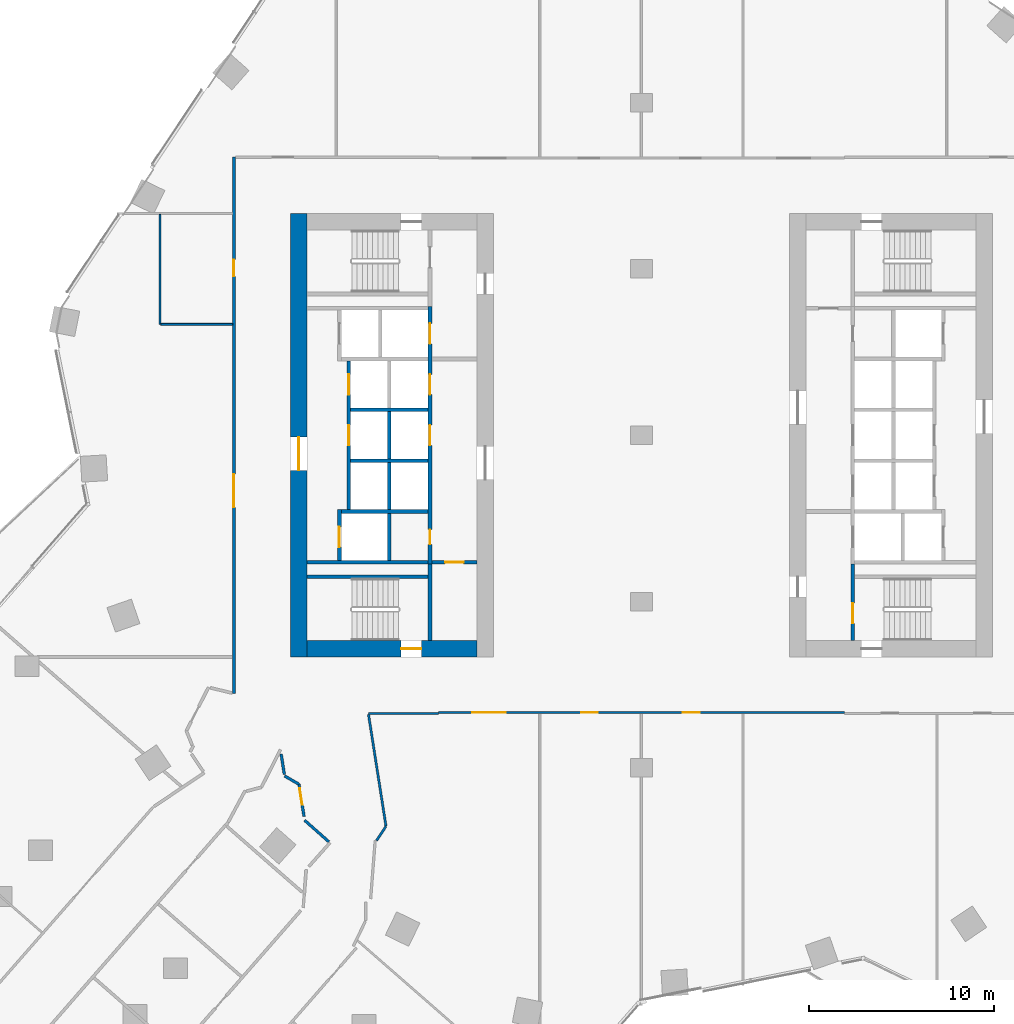
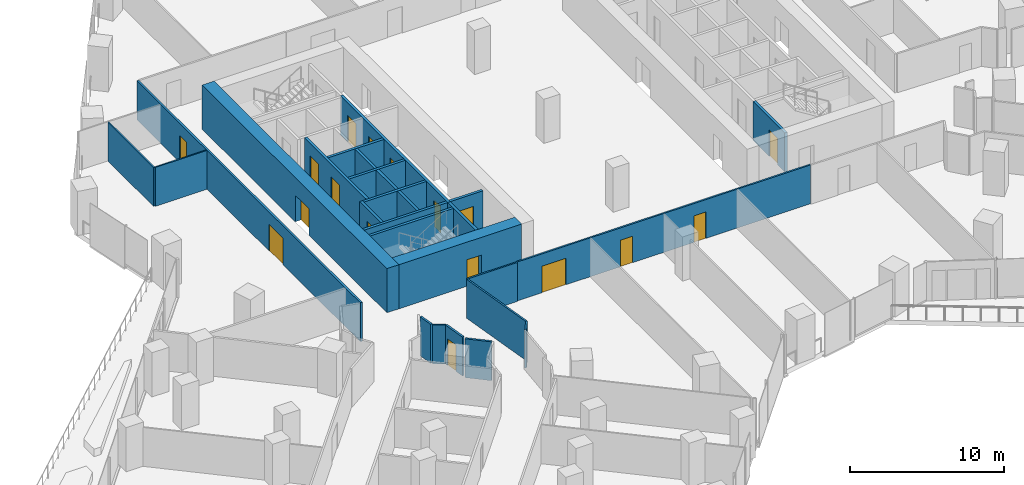
# One storey, part 23 of 32: 27 walls, 17 doors, 17 openings.
"""IFC4 building model written with IfcOpenShell, lengths in metres."""

from ifc_helpers import new_model, si_unit, direction, frame, frame_2d, origin, place, context, subcontext, project, spatial, rectangle, extrude, material, layer, layer_set, type_object, element, fill, save


model = new_model("IFC4")

# Units and contexts
model_context = context("Model", 3, precision=1e-05, world=origin(), true_north=direction((0.0, 1.0)))
body_context = subcontext(model_context, "Body", "Model", "MODEL_VIEW")
ifc_project = project(units=[si_unit("LENGTHUNIT", "METRE"), si_unit("AREAUNIT", "SQUARE_METRE"), si_unit("VOLUMEUNIT", "CUBIC_METRE"), si_unit("PLANEANGLEUNIT", "RADIAN"), si_unit("MASSUNIT", "GRAM", prefix="KILO")], contexts=[model_context])

# Site, building, storey
site_placement = place(None, origin())
site = spatial("IfcSite", under=ifc_project, at=site_placement, CompositionType="ELEMENT")
building_placement = place(site_placement, origin())
building = spatial("IfcBuilding", under=site, at=building_placement, Name="Orlundy Tower", CompositionType="ELEMENT")
storey_placement = place(building_placement, frame((0.0, 0.0, 58.800048828125)))
storey = spatial("IfcBuildingStorey", under=building, at=storey_placement, Name="L13", CompositionType="ELEMENT", Elevation=58.800048828125)

# Wall, opening, door
ifc_material_1 = material(Name="Concrete C80/95", Category="concrete")
ifc_layer_1 = layer(ifc_material_1, 0.89990234375)
ifc_layer_set_1 = layer_set([ifc_layer_1], Name="CORE WALL 900 C80/95")
wall_type_1 = type_object("IfcWallType", Name="CORE WALL 900 C80/95", PredefinedType="SHEAR", material=ifc_layer_set_1)
wall_1_placement = place(storey_placement, frame((-18.10009765625, -11.550048828125, 0.0), z_axis=(0.0, 0.0, 1.0), x_axis=(1.0, 0.0, 0.0)))
wall_1 = element("IfcWall", 1, at=wall_1_placement, inside=storey, type_object=wall_type_1, Name="Core wall W-S L13", PredefinedType="SHEAR", context=body_context, shape_type="SweptSolid", body=[
    extrude(rectangle(XDim=9.2001953125, YDim=0.89990234375, at=frame_2d((4.60009765625, 0.0))), origin(), (0.0, 0.0, 1.0), 3.5),
])
opening_1_placement = place(wall_1_placement, frame((5.10009765625, 0.0, 0.0)))
opening_1 = element("IfcOpeningElement", 2, at=opening_1_placement, cuts=wall_1, Name="Opening 12013", PredefinedType="OPENING", context=body_context, shape_type="SweptSolid", body=[
    extrude(rectangle(XDim=1.10009765625, YDim=2.10009765625, at=frame_2d((0.550048828125, 1.050048828125))), frame((0.0, 0.4599609375, 0.0), z_axis=(0.0, -1.0, 0.0), x_axis=(1.0, 0.0, 0.0)), (0.0, 0.0, 1.0), 0.919921875),
])
ifc_material_2 = material(Name="Steel door set", Category="steel")
door_type_1 = type_object("IfcDoorType", Name="Stair Door 1100x2100", OperationType="SINGLE_SWING_LEFT", PredefinedType="DOOR", material=ifc_material_2)
door_1_placement = place(opening_1_placement, origin())
door_1 = element("IfcDoor", 3, at=door_1_placement, inside=storey, type_object=door_type_1, Name="Stair door 12013", OperationType="SINGLE_SWING_RIGHT", OverallHeight=2.10009765625, OverallWidth=1.10009765625, PredefinedType="DOOR", context=body_context, shape_type="SweptSolid", body=[
    extrude(rectangle(XDim=1.10009765625, YDim=2.10009765625, at=frame_2d((0.550048828125, 1.050048828125))), frame((0.0, 0.02490234375, 0.0), z_axis=(0.0, -1.0, 0.0), x_axis=(1.0, 0.0, 0.0)), (0.0, 0.0, 1.0), 0.050048828125),
])
fill(opening_1, door_1)

wall_2_placement = place(storey_placement, frame((-18.550048828125, -12.0, 0.0), z_axis=(0.0, 0.0, 1.0), x_axis=(0.0, 1.0, 0.0)))
wall_2 = element("IfcWall", 4, at=wall_2_placement, inside=storey, type_object=wall_type_1, Name="Core wall W-W L13", PredefinedType="SHEAR", context=body_context, shape_type="SweptSolid", body=[
    extrude(rectangle(XDim=24.0, YDim=0.89990234375, at=frame_2d((12.0, 0.0))), origin(), (0.0, 0.0, 1.0), 3.5),
])
opening_2_placement = place(wall_2_placement, frame((10.10009765625, 0.0, 0.0)))
opening_2 = element("IfcOpeningElement", 5, at=opening_2_placement, cuts=wall_2, Name="Opening 12010", PredefinedType="OPENING", context=body_context, shape_type="SweptSolid", body=[
    extrude(rectangle(XDim=1.800048828125, YDim=2.10009765625, at=frame_2d((0.89990234375, 1.050048828125))), frame((0.0, 0.4599609375, 0.0), z_axis=(0.0, -1.0, 0.0), x_axis=(1.0, 0.0, 0.0)), (0.0, 0.0, 1.0), 0.919921875),
])
ifc_material_3 = material(Name="Timber door set", Category="wood")
door_type_2 = type_object("IfcDoorType", Name="Lobby Door 1800x2100", OperationType="DOUBLE_DOOR_DOUBLE_SWING", PredefinedType="DOOR", material=ifc_material_3)
door_2_placement = place(opening_2_placement, origin())
door_2 = element("IfcDoor", 6, at=door_2_placement, inside=storey, type_object=door_type_2, Name="Lift lobby door 12010", OperationType="SINGLE_SWING_LEFT", OverallHeight=2.10009765625, OverallWidth=1.800048828125, PredefinedType="DOOR", context=body_context, shape_type="SweptSolid", body=[
    extrude(rectangle(XDim=1.800048828125, YDim=2.10009765625, at=frame_2d((0.89990234375, 1.050048828125))), frame((0.0, 0.02490234375, 0.0), z_axis=(0.0, -1.0, 0.0), x_axis=(1.0, 0.0, 0.0)), (0.0, 0.0, 1.0), 0.050048828125),
])
fill(opening_2, door_2)

# Walls
ifc_material_4 = material(Name="Gypsum board partition")
ifc_layer_2 = layer(ifc_material_4, 0.10009765625)
ifc_layer_set_2 = layer_set([ifc_layer_2], Name="Floor partition 100")
wall_type_2 = type_object("IfcWallType", Name="Floor partition 100", PredefinedType="PARTITIONING", material=ifc_layer_set_2)
wall_3_placement = place(storey_placement, frame((-25.998046875, 6.0009765625, 0.0), z_axis=(0.0, 0.0, 1.0), x_axis=(1.0, 0.0, 0.0)))
element("IfcWall", 7, at=wall_3_placement, inside=storey, type_object=wall_type_2, Name="wall-int-L13-054", PredefinedType="PARTITIONING", context=body_context, shape_type="SweptSolid", body=[
    extrude(rectangle(XDim=3.873046875, YDim=0.10009765625, at=frame_2d((1.9365234375, 0.0))), origin(), (0.0, 0.0, 1.0), 3.079833984375),
])
wall_4_placement = place(storey_placement, frame((-26.048095703125, 6.0009765625, 0.0), z_axis=(0.0, 0.0, 1.0), x_axis=(0.0, 1.0, 0.0)))
element("IfcWall", 8, at=wall_4_placement, inside=storey, type_object=wall_type_2, Name="wall-int-L13-111", PredefinedType="PARTITIONING", context=body_context, shape_type="SweptSolid", body=[
    extrude(rectangle(XDim=5.948974609375, YDim=0.10009765625, at=frame_2d((2.974609375, 0.0))), origin(), (0.0, 0.0, 1.0), 3.079833984375),
])
ifc_material_5 = material(Name="Gypsum board partition, double layer")
ifc_layer_3 = layer(ifc_material_5, 0.125)
ifc_layer_set_3 = layer_set([ifc_layer_3], Name="Floor partition 125")
wall_type_3 = type_object("IfcWallType", Name="Floor partition 125", PredefinedType="PARTITIONING", material=ifc_layer_set_3)
wall_5_placement = place(storey_placement, frame((-14.76611328125, -15.113037109375, 0.0), z_axis=(0.0, 0.0, 1.0), x_axis=(0.154488884016, -0.987994526663, 0.0)))
element("IfcWall", 9, at=wall_5_placement, inside=storey, type_object=wall_type_3, Name="wall-int-L13-003", PredefinedType="PARTITIONING", context=body_context, shape_type="SweptSolid", body=[
    extrude(rectangle(XDim=6.117431640625, YDim=0.125, at=frame_2d((3.05859375, 0.0))), origin(), (0.0, 0.0, 1.0), 3.079833984375),
])
wall_6_placement = place(storey_placement, frame((-14.77587890625, -15.051025390625, 0.0), z_axis=(0.0, 0.0, 1.0), x_axis=(1.0, 0.0, 0.0)))
element("IfcWall", 10, at=wall_6_placement, inside=storey, type_object=wall_type_3, Name="wall-int-L13-048", PredefinedType="PARTITIONING", context=body_context, shape_type="SweptSolid", body=[
    extrude(rectangle(XDim=3.784912109375, YDim=0.125, at=frame_2d((1.892578125, 0.0))), origin(), (0.0, 0.0, 1.0), 3.079833984375),
])

# Wall, openings, doors
wall_7_placement = place(storey_placement, frame((10.989990234375, -15.0009765625, 0.0), z_axis=(0.0, 0.0, 1.0), x_axis=(-1.0, 0.0, 0.0)))
wall_7 = element("IfcWall", 11, at=wall_7_placement, inside=storey, type_object=wall_type_3, Name="wall-int-L13-050", PredefinedType="PARTITIONING", context=body_context, shape_type="SweptSolid", body=[
    extrude(rectangle(XDim=21.97998046875, YDim=0.125, at=frame_2d((10.989990234375, 0.0))), origin(), (0.0, 0.0, 1.0), 3.079833984375),
])
opening_3_placement = place(wall_7_placement, frame((18.333984375, 0.0, 0.0)))
opening_3 = element("IfcOpeningElement", 12, at=opening_3_placement, cuts=wall_7, Name="Opening 12121", PredefinedType="OPENING", context=body_context, shape_type="SweptSolid", body=[
    extrude(rectangle(XDim=1.800048828125, YDim=2.10009765625, at=frame_2d((0.89990234375, 1.050048828125))), frame((0.0, 0.072509765625, 0.0), z_axis=(0.0, -1.0, 0.0), x_axis=(1.0, 0.0, 0.0)), (0.0, 0.0, 1.0), 0.14501953125),
])
opening_4_placement = place(wall_7_placement, frame((13.340087890625, 0.0, 0.0)))
opening_4 = element("IfcOpeningElement", 13, at=opening_4_placement, cuts=wall_7, Name="Opening 12122", PredefinedType="OPENING", context=body_context, shape_type="SweptSolid", body=[
    extrude(rectangle(XDim=0.89990234375, YDim=2.10009765625, at=frame_2d((0.449951171875, 1.050048828125))), frame((0.0, 0.072509765625, 0.0), z_axis=(0.0, -1.0, 0.0), x_axis=(1.0, 0.0, 0.0)), (0.0, 0.0, 1.0), 0.14501953125),
])
opening_5_placement = place(wall_7_placement, frame((7.843994140625, 0.0, 0.0)))
opening_5 = element("IfcOpeningElement", 14, at=opening_5_placement, cuts=wall_7, Name="Opening 12123", PredefinedType="OPENING", context=body_context, shape_type="SweptSolid", body=[
    extrude(rectangle(XDim=0.89990234375, YDim=2.10009765625, at=frame_2d((0.449951171875, 1.050048828125))), frame((0.0, 0.072509765625, 0.0), z_axis=(0.0, -1.0, 0.0), x_axis=(1.0, 0.0, 0.0)), (0.0, 0.0, 1.0), 0.14501953125),
])
ifc_material_6 = material(Name="Timber door leaf", Category="wood")
door_type_3 = type_object("IfcDoorType", Name="Floor door double 1800 FD30S", OperationType="NOTDEFINED", PredefinedType="DOOR", material=ifc_material_6)
door_3_placement = place(opening_3_placement, origin())
door_3 = element("IfcDoor", 15, at=door_3_placement, inside=storey, type_object=door_type_3, Name="Door 12121", OperationType="DOUBLE_DOOR_SINGLE_SWING", OverallHeight=2.10009765625, OverallWidth=1.800048828125, PredefinedType="DOOR", context=body_context, shape_type="SweptSolid", body=[
    extrude(rectangle(XDim=1.800048828125, YDim=2.10009765625, at=frame_2d((0.89990234375, 1.050048828125))), frame((0.0, 0.02490234375, 0.0), z_axis=(0.0, -1.0, 0.0), x_axis=(1.0, 0.0, 0.0)), (0.0, 0.0, 1.0), 0.050048828125),
])
fill(opening_3, door_3)
ifc_material_7 = material(Name="Timber door leaf", Category="wood")
door_type_4 = type_object("IfcDoorType", Name="Floor door single 900 FD30S", OperationType="NOTDEFINED", PredefinedType="DOOR", material=ifc_material_7)
door_4_placement = place(opening_4_placement, origin())
door_4 = element("IfcDoor", 16, at=door_4_placement, inside=storey, type_object=door_type_4, Name="Door 12122", OperationType="SINGLE_SWING_RIGHT", OverallHeight=2.10009765625, OverallWidth=0.89990234375, PredefinedType="DOOR", context=body_context, shape_type="SweptSolid", body=[
    extrude(rectangle(XDim=0.89990234375, YDim=2.10009765625, at=frame_2d((0.449951171875, 1.050048828125))), frame((0.0, 0.02490234375, 0.0), z_axis=(0.0, -1.0, 0.0), x_axis=(1.0, 0.0, 0.0)), (0.0, 0.0, 1.0), 0.050048828125),
])
fill(opening_4, door_4)
door_5_placement = place(opening_5_placement, origin())
door_5 = element("IfcDoor", 17, at=door_5_placement, inside=storey, type_object=door_type_4, Name="Door 12123", OperationType="SINGLE_SWING_LEFT", OverallHeight=2.10009765625, OverallWidth=0.89990234375, PredefinedType="DOOR", context=body_context, shape_type="SweptSolid", body=[
    extrude(rectangle(XDim=0.89990234375, YDim=2.10009765625, at=frame_2d((0.449951171875, 1.050048828125))), frame((0.0, 0.02490234375, 0.0), z_axis=(0.0, -1.0, 0.0), x_axis=(1.0, 0.0, 0.0)), (0.0, 0.0, 1.0), 0.050048828125),
])
fill(opening_5, door_5)

# Walls
wall_8_placement = place(storey_placement, frame((-14.330078125, -21.927001953125, 0.0), z_axis=(0.0, 0.0, 1.0), x_axis=(0.551461091015, 0.834200614418, 0.0)))
element("IfcWall", 18, at=wall_8_placement, inside=storey, type_object=wall_type_3, Name="wall-int-L13-060", PredefinedType="PARTITIONING", context=body_context, shape_type="SweptSolid", body=[
    extrude(rectangle(XDim=0.923095703125, YDim=0.125, at=frame_2d((0.46142578125, 0.0))), origin(), (0.0, 0.0, 1.0), 3.079833984375),
])
ifc_material_8 = material(Name="Blockwork shaft wall", Category="masonry")
ifc_layer_4 = layer(ifc_material_8, 0.14990234375)
ifc_layer_set_4 = layer_set([ifc_layer_4], Name="Floor shaft wall 150")
wall_type_4 = type_object("IfcWallType", Name="Floor shaft wall 150", PredefinedType="PARTITIONING", material=ifc_layer_set_4)
wall_9_placement = place(storey_placement, frame((-19.4951171875, -17.242919921875, 0.0), z_axis=(0.0, 0.0, 1.0), x_axis=(0.154251487581, -0.988031618208, 0.0)))
element("IfcWall", 19, at=wall_9_placement, inside=storey, type_object=wall_type_4, Name="wall-int-L13-001", PredefinedType="PARTITIONING", context=body_context, shape_type="SweptSolid", body=[
    extrude(rectangle(XDim=1.12841796875, YDim=0.14990234375, at=frame_2d((0.564208984375, 0.0))), origin(), (0.0, 0.0, 1.0), 3.079833984375),
])

# Wall, opening, door
wall_10_placement = place(storey_placement, frame((-18.257080078125, -20.6279296875, 0.0), z_axis=(0.0, 0.0, 1.0), x_axis=(-0.154549773899, 0.987985003625, 0.0)))
wall_10 = element("IfcWall", 20, at=wall_10_placement, inside=storey, type_object=wall_type_4, Name="wall-int-L13-002", PredefinedType="PARTITIONING", context=body_context, shape_type="SweptSolid", body=[
    extrude(rectangle(XDim=1.76611328125, YDim=0.14990234375, at=frame_2d((0.883056640625, 0.0))), origin(), (0.0, 0.0, 1.0), 3.079833984375),
])
opening_6_placement = place(wall_10_placement, frame((0.6416015625, 0.0, 0.0)))
opening_6 = element("IfcOpeningElement", 21, at=opening_6_placement, cuts=wall_10, Name="Opening 12119", PredefinedType="OPENING", context=body_context, shape_type="SweptSolid", body=[
    extrude(rectangle(XDim=0.89990234375, YDim=2.10009765625, at=frame_2d((0.449951171875, 1.050048828125))), frame((0.0, 0.0849609375, 0.0), z_axis=(0.0, -1.0, 0.0), x_axis=(1.0, 0.0, 0.0)), (0.0, 0.0, 1.0), 0.169921875),
])
ifc_material_9 = material(Name="Timber door leaf", Category="wood")
door_type_5 = type_object("IfcDoorType", Name="Floor door single 900 FD60", OperationType="NOTDEFINED", PredefinedType="DOOR", material=ifc_material_9)
door_6_placement = place(opening_6_placement, origin())
door_6 = element("IfcDoor", 22, at=door_6_placement, inside=storey, type_object=door_type_5, Name="Door 12119", OperationType="SINGLE_SWING_RIGHT", OverallHeight=2.10009765625, OverallWidth=0.89990234375, PredefinedType="DOOR", context=body_context, shape_type="SweptSolid", body=[
    extrude(rectangle(XDim=0.89990234375, YDim=2.10009765625, at=frame_2d((0.449951171875, 1.050048828125))), frame((0.0, 0.02490234375, 0.0), z_axis=(0.0, -1.0, 0.0), x_axis=(1.0, 0.0, 0.0)), (0.0, 0.0, 1.0), 0.050048828125),
])
fill(opening_6, door_6)

# Walls
wall_11_placement = place(storey_placement, frame((-18.22509765625, -20.833984375, 0.0), z_axis=(0.0, 0.0, 1.0), x_axis=(0.748818770909, -0.662774809671, 0.0)))
element("IfcWall", 23, at=wall_11_placement, inside=storey, type_object=wall_type_4, Name="wall-int-L13-008", PredefinedType="PARTITIONING", context=body_context, shape_type="SweptSolid", body=[
    extrude(rectangle(XDim=1.75634765625, YDim=0.14990234375, at=frame_2d((0.878173828125, 0.0))), origin(), (0.0, 0.0, 1.0), 3.079833984375),
])
wall_12_placement = place(storey_placement, frame((-19.30810546875, -18.43310546875, 0.0), z_axis=(0.0, 0.0, 1.0), x_axis=(0.865674137441, -0.5006079182, 0.0)))
element("IfcWall", 24, at=wall_12_placement, inside=storey, type_object=wall_type_4, Name="wall-int-L13-061", PredefinedType="PARTITIONING", context=body_context, shape_type="SweptSolid", body=[
    extrude(rectangle(XDim=0.89892578125, YDim=0.14990234375, at=frame_2d((0.449462890625, 0.0))), origin(), (0.0, 0.0, 1.0), 3.079833984375),
])

# Wall, openings, doors
wall_13_placement = place(storey_placement, frame((-22.050048828125, -13.968994140625, 0.0), z_axis=(0.0, 0.0, 1.0), x_axis=(0.0, 1.0, 0.0)))
wall_13 = element("IfcWall", 25, at=wall_13_placement, inside=storey, type_object=wall_type_4, Name="wall-int-L13-110", PredefinedType="PARTITIONING", context=body_context, shape_type="SweptSolid", body=[
    extrude(rectangle(XDim=29.02001953125, YDim=0.14990234375, at=frame_2d((14.510009765625, 0.0))), origin(), (0.0, 0.0, 1.0), 3.079833984375),
])
opening_7_placement = place(wall_13_placement, frame((10.069091796875, 0.0, 0.0)))
opening_7 = element("IfcOpeningElement", 26, at=opening_7_placement, cuts=wall_13, Name="Opening 12120", PredefinedType="OPENING", context=body_context, shape_type="SweptSolid", body=[
    extrude(rectangle(XDim=1.800048828125, YDim=2.10009765625, at=frame_2d((0.89990234375, 1.050048828125))), frame((0.0, 0.0849609375, 0.0), z_axis=(0.0, -1.0, 0.0), x_axis=(1.0, 0.0, 0.0)), (0.0, 0.0, 1.0), 0.169921875),
])
opening_8_placement = place(wall_13_placement, frame((22.570068359375, 0.0, 0.0)))
opening_8 = element("IfcOpeningElement", 27, at=opening_8_placement, cuts=wall_13, Name="Opening 12134", PredefinedType="OPENING", context=body_context, shape_type="SweptSolid", body=[
    extrude(rectangle(XDim=0.89990234375, YDim=2.10009765625, at=frame_2d((0.449951171875, 1.050048828125))), frame((0.0, 0.0849609375, 0.0), z_axis=(0.0, -1.0, 0.0), x_axis=(1.0, 0.0, 0.0)), (0.0, 0.0, 1.0), 0.169921875),
])
ifc_material_10 = material(Name="Timber door leaf", Category="wood")
door_type_6 = type_object("IfcDoorType", Name="Floor door double 1800 FD60", OperationType="NOTDEFINED", PredefinedType="DOOR", material=ifc_material_10)
door_7_placement = place(opening_7_placement, origin())
door_7 = element("IfcDoor", 28, at=door_7_placement, inside=storey, type_object=door_type_6, Name="Door 12120", OperationType="DOUBLE_DOOR_SINGLE_SWING", OverallHeight=2.10009765625, OverallWidth=1.800048828125, PredefinedType="DOOR", context=body_context, shape_type="SweptSolid", body=[
    extrude(rectangle(XDim=1.800048828125, YDim=2.10009765625, at=frame_2d((0.89990234375, 1.050048828125))), frame((0.0, 0.02490234375, 0.0), z_axis=(0.0, -1.0, 0.0), x_axis=(1.0, 0.0, 0.0)), (0.0, 0.0, 1.0), 0.050048828125),
])
fill(opening_7, door_7)
door_8_placement = place(opening_8_placement, origin())
door_8 = element("IfcDoor", 29, at=door_8_placement, inside=storey, type_object=door_type_5, Name="Door 12134", OperationType="SINGLE_SWING_RIGHT", OverallHeight=2.10009765625, OverallWidth=0.89990234375, PredefinedType="DOOR", context=body_context, shape_type="SweptSolid", body=[
    extrude(rectangle(XDim=0.89990234375, YDim=2.10009765625, at=frame_2d((0.449951171875, 1.050048828125))), frame((0.0, 0.02490234375, 0.0), z_axis=(0.0, -1.0, 0.0), x_axis=(1.0, 0.0, 0.0)), (0.0, 0.0, 1.0), 0.050048828125),
])
fill(opening_8, door_8)

# Walls
ifc_material_11 = material(Name="Concrete C40/50", Category="concrete")
ifc_layer_5 = layer(ifc_material_11, 0.199951171875)
ifc_layer_set_5 = layer_set([ifc_layer_5], Name="Load-bearing Shaft Wall 200")
wall_type_5 = type_object("IfcWallType", Name="Load-bearing Shaft Wall 200", PredefinedType="SOLIDWALL", material=ifc_layer_set_5)
wall_14_placement = place(storey_placement, frame((-11.43994140625, -11.10009765625, 0.0), z_axis=(0.0, 0.0, 1.0), x_axis=(0.0, 1.0, 0.0)))
element("IfcWall", 30, at=wall_14_placement, inside=storey, type_object=wall_type_5, Name="Shaft wall W12-stair-end-s", PredefinedType="SOLIDWALL", context=body_context, shape_type="SweptSolid", body=[
    extrude(rectangle(XDim=4.125, YDim=0.199951171875, at=frame_2d((2.0625, 0.0))), origin(), (0.0, 0.0, 1.0), 3.08984375),
])
wall_15_placement = place(storey_placement, frame((-11.5400390625, -7.64990234375, 0.0), z_axis=(0.0, 0.0, 1.0), x_axis=(-1.0, 0.0, 0.0)))
element("IfcWall", 31, at=wall_15_placement, inside=storey, type_object=wall_type_5, Name="Shaft wall W12-stair-side-s", PredefinedType="SOLIDWALL", context=body_context, shape_type="SweptSolid", body=[
    extrude(rectangle(XDim=6.56005859375, YDim=0.199951171875, at=frame_2d((3.280029296875, 0.0))), origin(), (0.0, 0.0, 1.0), 3.08984375),
])

# Wall, opening, door
wall_16_placement = place(storey_placement, frame((11.43994140625, -6.97509765625, 0.0), z_axis=(0.0, 0.0, 1.0), x_axis=(0.0, -1.0, 0.0)))
wall_16 = element("IfcWall", 32, at=wall_16_placement, inside=storey, type_object=wall_type_5, Name="Shaft wall E12-stair-end-n", PredefinedType="SOLIDWALL", context=body_context, shape_type="SweptSolid", body=[
    extrude(rectangle(XDim=4.125, YDim=0.199951171875, at=frame_2d((2.0625, 0.0))), origin(), (0.0, 0.0, 1.0), 3.08984375),
])
opening_9_placement = place(wall_16_placement, frame((2.10009765625, 0.0, 0.0)))
opening_9 = element("IfcOpeningElement", 33, at=opening_9_placement, cuts=wall_16, Name="Opening 12063", PredefinedType="OPENING", context=body_context, shape_type="SweptSolid", body=[
    extrude(rectangle(XDim=1.10009765625, YDim=2.10009765625, at=frame_2d((0.550048828125, 1.050048828125))), frame((0.0, 0.110107421875, 0.0), z_axis=(0.0, -1.0, 0.0), x_axis=(1.0, 0.0, 0.0)), (0.0, 0.0, 1.0), 0.22021484375),
])
ifc_material_12 = material(Name="Steel door set", Category="steel")
door_type_7 = type_object("IfcDoorType", Name="Fire-fighting Lobby Door 1100x2100", OperationType="SINGLE_SWING_LEFT", PredefinedType="DOOR", material=ifc_material_12)
door_9_placement = place(opening_9_placement, origin())
door_9 = element("IfcDoor", 34, at=door_9_placement, inside=storey, type_object=door_type_7, Name="Fire-fighting lobby to stair door 12063", OperationType="SINGLE_SWING_RIGHT", OverallHeight=2.10009765625, OverallWidth=1.10009765625, PredefinedType="DOOR", context=body_context, shape_type="SweptSolid", body=[
    extrude(rectangle(XDim=1.10009765625, YDim=2.10009765625, at=frame_2d((0.550048828125, 1.050048828125))), frame((0.0, 0.02490234375, 0.0), z_axis=(0.0, -1.0, 0.0), x_axis=(1.0, 0.0, 0.0)), (0.0, 0.0, 1.0), 0.050048828125),
])
fill(opening_9, door_9)

ifc_material_13 = material(Name="Gypsum board partition on steel studs", Category="steel")
ifc_layer_6 = layer(ifc_material_13, 0.199951171875)
ifc_layer_set_6 = layer_set([ifc_layer_6], Name="Partition 200")
wall_type_6 = type_object("IfcWallType", Name="Partition 200", PredefinedType="PARTITIONING", material=ifc_layer_set_6)
wall_17_placement = place(storey_placement, frame((-8.89990234375, -6.875, 0.0), z_axis=(0.0, 0.0, 1.0), x_axis=(-1.0, 0.0, 0.0)))
wall_17 = element("IfcWall", 35, at=wall_17_placement, inside=storey, type_object=wall_type_6, Name="Partition wall W12-end-s", PredefinedType="PARTITIONING", context=body_context, shape_type="SweptSolid", body=[
    extrude(rectangle(XDim=2.440185546875, YDim=0.199951171875, at=frame_2d((1.22021484375, 0.0))), origin(), (0.0, 0.0, 1.0), 3.08984375),
])
opening_10_placement = place(wall_17_placement, frame((0.719970703125, 0.0, 0.0)))
opening_10 = element("IfcOpeningElement", 36, at=opening_10_placement, cuts=wall_17, Name="Opening 12015", PredefinedType="OPENING", context=body_context, shape_type="SweptSolid", body=[
    extrude(rectangle(XDim=1.0, YDim=2.10009765625, at=frame_2d((0.5, 1.050048828125))), frame((0.0, 0.110107421875, 0.0), z_axis=(0.0, -1.0, 0.0), x_axis=(1.0, 0.0, 0.0)), (0.0, 0.0, 1.0), 0.22021484375),
])
ifc_material_14 = material(Name="Timber door set", Category="wood")
door_type_8 = type_object("IfcDoorType", Name="Accessible Door 1000x2100", OperationType="SINGLE_SWING_LEFT", PredefinedType="DOOR", material=ifc_material_14)
door_10_placement = place(opening_10_placement, origin())
door_10 = element("IfcDoor", 37, at=door_10_placement, inside=storey, type_object=door_type_8, Name="Accessible WC door 12015", OperationType="SINGLE_SWING_RIGHT", OverallHeight=2.10009765625, OverallWidth=1.0, PredefinedType="DOOR", context=body_context, shape_type="SweptSolid", body=[
    extrude(rectangle(XDim=1.0, YDim=2.10009765625, at=frame_2d((0.5, 1.050048828125))), frame((0.0, 0.02490234375, 0.0), z_axis=(0.0, -1.0, 0.0), x_axis=(1.0, 0.0, 0.0)), (0.0, 0.0, 1.0), 0.050048828125),
])
fill(opening_10, door_10)

# Walls
ifc_material_15 = material(Name="Fire-rated blockwork shaft wall", Category="masonry")
ifc_layer_7 = layer(ifc_material_15, 0.199951171875)
ifc_layer_set_7 = layer_set([ifc_layer_7], Name="Shaft Wall 200")
wall_type_7 = type_object("IfcWallType", Name="Shaft Wall 200", PredefinedType="SOLIDWALL", material=ifc_layer_set_7)
wall_18_placement = place(storey_placement, frame((-11.5400390625, -6.875, 0.0), z_axis=(0.0, 0.0, 1.0), x_axis=(-1.0, 0.0, 0.0)))
element("IfcWall", 38, at=wall_18_placement, inside=storey, type_object=wall_type_7, Name="Shaft wall W12-zone-s", PredefinedType="SOLIDWALL", context=body_context, shape_type="SweptSolid", body=[
    extrude(rectangle(XDim=6.56005859375, YDim=0.199951171875, at=frame_2d((3.280029296875, 0.0))), origin(), (0.0, 0.0, 1.0), 3.08984375),
])
wall_19_placement = place(storey_placement, frame((-11.5400390625, -4.125, 0.0), z_axis=(0.0, 0.0, 1.0), x_axis=(-1.0, 0.0, 0.0)))
element("IfcWall", 39, at=wall_19_placement, inside=storey, type_object=wall_type_7, Name="Shaft wall W12-cross-4.125", PredefinedType="SOLIDWALL", context=body_context, shape_type="SweptSolid", body=[
    extrude(rectangle(XDim=4.699951171875, YDim=0.199951171875, at=frame_2d((2.35009765625, 0.0))), origin(), (0.0, 0.0, 1.0), 3.08984375),
])
for number, where, z_axis, x_axis, name in (
    (40, (-11.5400390625, -1.375, 0.0), (0.0, 0.0, 1.0), (-1.0, 0.0, 0.0), "Shaft wall W12-cross-1.375"),
    (41, (-11.5400390625, 1.375, 0.0), (0.0, 0.0, 1.0), (-1.0, 0.0, 0.0), "Shaft wall W12-cross+1.375"),
):
    element("IfcWall", number, at=place(storey_placement, frame(where, z_axis=z_axis, x_axis=x_axis)), inside=storey, type_object=wall_type_7, Name=name, PredefinedType="SOLIDWALL", context=body_context, shape_type="SweptSolid", body=[
        extrude(rectangle(XDim=4.199951171875, YDim=0.199951171875, at=frame_2d((2.10009765625, 0.0))), origin(), (0.0, 0.0, 1.0), 3.08984375),
    ])

# Wall, openings, doors
wall_20_placement = place(storey_placement, frame((-11.43994140625, -6.97509765625, 0.0), z_axis=(0.0, 0.0, 1.0), x_axis=(0.0, 1.0, 0.0)))
wall_20 = element("IfcWall", 42, at=wall_20_placement, inside=storey, type_object=wall_type_7, Name="Shaft wall W12-front-h", PredefinedType="SOLIDWALL", context=body_context, shape_type="SweptSolid", body=[
    extrude(rectangle(XDim=13.9501953125, YDim=0.199951171875, at=frame_2d((6.97509765625, 0.0))), origin(), (0.0, 0.0, 1.0), 3.08984375),
])
opening_11_placement = place(wall_20_placement, frame((6.425048828125, 0.0, 0.0)))
opening_11 = element("IfcOpeningElement", 43, at=opening_11_placement, cuts=wall_20, Name="Opening 12002", PredefinedType="OPENING", context=body_context, shape_type="SweptSolid", body=[
    extrude(rectangle(XDim=1.10009765625, YDim=2.10009765625, at=frame_2d((0.550048828125, 1.050048828125))), frame((0.0, 0.110107421875, 0.0), z_axis=(0.0, -1.0, 0.0), x_axis=(1.0, 0.0, 0.0)), (0.0, 0.0, 1.0), 0.22021484375),
])
opening_12_placement = place(wall_20_placement, frame((9.175048828125, 0.0, 0.0)))
opening_12 = element("IfcOpeningElement", 44, at=opening_12_placement, cuts=wall_20, Name="Opening 12004", PredefinedType="OPENING", context=body_context, shape_type="SweptSolid", body=[
    extrude(rectangle(XDim=1.10009765625, YDim=2.10009765625, at=frame_2d((0.550048828125, 1.050048828125))), frame((0.0, 0.110107421875, 0.0), z_axis=(0.0, -1.0, 0.0), x_axis=(1.0, 0.0, 0.0)), (0.0, 0.0, 1.0), 0.22021484375),
])
opening_13_placement = place(wall_20_placement, frame((11.925048828125, 0.0, 0.0)))
opening_13 = element("IfcOpeningElement", 45, at=opening_13_placement, cuts=wall_20, Name="Opening 12006", PredefinedType="OPENING", context=body_context, shape_type="SweptSolid", body=[
    extrude(rectangle(XDim=1.10009765625, YDim=2.10009765625, at=frame_2d((0.550048828125, 1.050048828125))), frame((0.0, 0.110107421875, 0.0), z_axis=(0.0, -1.0, 0.0), x_axis=(1.0, 0.0, 0.0)), (0.0, 0.0, 1.0), 0.22021484375),
])
opening_14_placement = place(wall_20_placement, frame((1.074951171875, 0.0, 0.0)))
opening_14 = element("IfcOpeningElement", 46, at=opening_14_placement, cuts=wall_20, Name="Opening 12008", PredefinedType="OPENING", context=body_context, shape_type="SweptSolid", body=[
    extrude(rectangle(XDim=0.800048828125, YDim=2.10009765625, at=frame_2d((0.39990234375, 1.050048828125))), frame((0.0, 0.110107421875, 0.0), z_axis=(0.0, -1.0, 0.0), x_axis=(1.0, 0.0, 0.0)), (0.0, 0.0, 1.0), 0.22021484375),
])
ifc_material_16 = material(Name="Steel door set", Category="steel")
door_type_9 = type_object("IfcDoorType", Name="Landing Door 1100x2100", OperationType="DOUBLE_DOOR_SLIDING", PredefinedType="DOOR", material=ifc_material_16)
door_11_placement = place(opening_11_placement, origin())
door_11 = element("IfcDoor", 47, at=door_11_placement, inside=storey, type_object=door_type_9, Name="Lift landing door LP-05 12002", OperationType="DOUBLE_DOOR_SLIDING", OverallHeight=2.10009765625, OverallWidth=1.10009765625, PredefinedType="DOOR", context=body_context, shape_type="SweptSolid", body=[
    extrude(rectangle(XDim=1.10009765625, YDim=2.10009765625, at=frame_2d((0.550048828125, 1.050048828125))), frame((0.0, 0.02490234375, 0.0), z_axis=(0.0, -1.0, 0.0), x_axis=(1.0, 0.0, 0.0)), (0.0, 0.0, 1.0), 0.050048828125),
])
fill(opening_11, door_11)
door_12_placement = place(opening_12_placement, origin())
door_12 = element("IfcDoor", 48, at=door_12_placement, inside=storey, type_object=door_type_9, Name="Lift landing door LP-02 12004", OperationType="DOUBLE_DOOR_SLIDING", OverallHeight=2.10009765625, OverallWidth=1.10009765625, PredefinedType="DOOR", context=body_context, shape_type="SweptSolid", body=[
    extrude(rectangle(XDim=1.10009765625, YDim=2.10009765625, at=frame_2d((0.550048828125, 1.050048828125))), frame((0.0, 0.02490234375, 0.0), z_axis=(0.0, -1.0, 0.0), x_axis=(1.0, 0.0, 0.0)), (0.0, 0.0, 1.0), 0.050048828125),
])
fill(opening_12, door_12)
door_13_placement = place(opening_13_placement, origin())
door_13 = element("IfcDoor", 49, at=door_13_placement, inside=storey, type_object=door_type_9, Name="Lift landing door FL1 12006", OperationType="DOUBLE_DOOR_SLIDING", OverallHeight=2.10009765625, OverallWidth=1.10009765625, PredefinedType="DOOR", context=body_context, shape_type="SweptSolid", body=[
    extrude(rectangle(XDim=1.10009765625, YDim=2.10009765625, at=frame_2d((0.550048828125, 1.050048828125))), frame((0.0, 0.02490234375, 0.0), z_axis=(0.0, -1.0, 0.0), x_axis=(1.0, 0.0, 0.0)), (0.0, 0.0, 1.0), 0.050048828125),
])
fill(opening_13, door_13)
ifc_material_17 = material(Name="Timber door set", Category="wood")
door_type_10 = type_object("IfcDoorType", Name="Riser Door 800x2100", OperationType="SINGLE_SWING_LEFT", PredefinedType="DOOR", material=ifc_material_17)
door_14_placement = place(opening_14_placement, origin())
door_14 = element("IfcDoor", 50, at=door_14_placement, inside=storey, type_object=door_type_10, Name="Electrical Riser Room door 12008", OperationType="SINGLE_SWING_LEFT", OverallHeight=2.10009765625, OverallWidth=0.800048828125, PredefinedType="DOOR", context=body_context, shape_type="SweptSolid", body=[
    extrude(rectangle(XDim=0.800048828125, YDim=2.10009765625, at=frame_2d((0.39990234375, 1.050048828125))), frame((0.0, 0.02490234375, 0.0), z_axis=(0.0, -1.0, 0.0), x_axis=(1.0, 0.0, 0.0)), (0.0, 0.0, 1.0), 0.050048828125),
])
fill(opening_14, door_14)

# Walls
for number, where, z_axis, x_axis, name in (
    (51, (-13.639892578125, -6.77490234375, 0.0), (0.0, 0.0, 1.0), (0.0, 1.0, 0.0), "Shaft wall W12-mid-a"),
    (52, (-13.639892578125, -4.02490234375, 0.0), (0.0, 0.0, 1.0), (0.0, 1.0, 0.0), "Shaft wall W12-mid-a.1"),
    (53, (-13.639892578125, -1.27490234375, 0.0), (0.0, 0.0, 1.0), (0.0, 1.0, 0.0), "Shaft wall W12-mid-a.2"),
):
    element("IfcWall", number, at=place(storey_placement, frame(where, z_axis=z_axis, x_axis=x_axis)), inside=storey, type_object=wall_type_7, Name=name, PredefinedType="SOLIDWALL", context=body_context, shape_type="SweptSolid", body=[
        extrude(rectangle(XDim=2.5498046875, YDim=0.199951171875, at=frame_2d((1.27490234375, 0.0))), origin(), (0.0, 0.0, 1.0), 3.08984375),
    ])

# Wall, opening, door
wall_21_placement = place(storey_placement, frame((-16.340087890625, -6.77490234375, 0.0), z_axis=(0.0, 0.0, 1.0), x_axis=(0.0, 1.0, 0.0)))
wall_21 = element("IfcWall", 54, at=wall_21_placement, inside=storey, type_object=wall_type_7, Name="Shaft wall W12-front-o-a", PredefinedType="SOLIDWALL", context=body_context, shape_type="SweptSolid", body=[
    extrude(rectangle(XDim=2.75, YDim=0.199951171875, at=frame_2d((1.375, 0.0))), origin(), (0.0, 0.0, 1.0), 3.08984375),
])
opening_15_placement = place(wall_21_placement, frame((0.72509765625, 0.0, 0.0)))
opening_15 = element("IfcOpeningElement", 55, at=opening_15_placement, cuts=wall_21, Name="Opening 12001", PredefinedType="OPENING", context=body_context, shape_type="SweptSolid", body=[
    extrude(rectangle(XDim=1.10009765625, YDim=2.10009765625, at=frame_2d((0.550048828125, 1.050048828125))), frame((0.0, 0.110107421875, 0.0), z_axis=(0.0, -1.0, 0.0), x_axis=(1.0, 0.0, 0.0)), (0.0, 0.0, 1.0), 0.22021484375),
])
door_15_placement = place(opening_15_placement, origin())
door_15 = element("IfcDoor", 56, at=door_15_placement, inside=storey, type_object=door_type_9, Name="Lift landing door LV-01 12001", OperationType="DOUBLE_DOOR_SLIDING", OverallHeight=2.10009765625, OverallWidth=1.10009765625, PredefinedType="DOOR", context=body_context, shape_type="SweptSolid", body=[
    extrude(rectangle(XDim=1.10009765625, YDim=2.10009765625, at=frame_2d((0.550048828125, 1.050048828125))), frame((0.0, 0.02490234375, 0.0), z_axis=(0.0, -1.0, 0.0), x_axis=(1.0, 0.0, 0.0)), (0.0, 0.0, 1.0), 0.050048828125),
])
fill(opening_15, door_15)

# Wall, openings, doors
wall_22_placement = place(storey_placement, frame((-15.840087890625, -4.02490234375, 0.0), z_axis=(0.0, 0.0, 1.0), x_axis=(0.0, 1.0, 0.0)))
wall_22 = element("IfcWall", 57, at=wall_22_placement, inside=storey, type_object=wall_type_7, Name="Shaft wall W12-front-o-b", PredefinedType="SOLIDWALL", context=body_context, shape_type="SweptSolid", body=[
    extrude(rectangle(XDim=8.0498046875, YDim=0.199951171875, at=frame_2d((4.02490234375, 0.0))), origin(), (0.0, 0.0, 1.0), 3.08984375),
])
opening_16_placement = place(wall_22_placement, frame((3.47509765625, 0.0, 0.0)))
opening_16 = element("IfcOpeningElement", 58, at=opening_16_placement, cuts=wall_22, Name="Opening 12003", PredefinedType="OPENING", context=body_context, shape_type="SweptSolid", body=[
    extrude(rectangle(XDim=1.10009765625, YDim=2.10009765625, at=frame_2d((0.550048828125, 1.050048828125))), frame((0.0, 0.110107421875, 0.0), z_axis=(0.0, -1.0, 0.0), x_axis=(1.0, 0.0, 0.0)), (0.0, 0.0, 1.0), 0.22021484375),
])
opening_17_placement = place(wall_22_placement, frame((6.22509765625, 0.0, 0.0)))
opening_17 = element("IfcOpeningElement", 59, at=opening_17_placement, cuts=wall_22, Name="Opening 12005", PredefinedType="OPENING", context=body_context, shape_type="SweptSolid", body=[
    extrude(rectangle(XDim=1.10009765625, YDim=2.10009765625, at=frame_2d((0.550048828125, 1.050048828125))), frame((0.0, 0.110107421875, 0.0), z_axis=(0.0, -1.0, 0.0), x_axis=(1.0, 0.0, 0.0)), (0.0, 0.0, 1.0), 0.22021484375),
])
door_16_placement = place(opening_16_placement, origin())
door_16 = element("IfcDoor", 60, at=door_16_placement, inside=storey, type_object=door_type_9, Name="Lift landing door LP-01 12003", OperationType="DOUBLE_DOOR_SLIDING", OverallHeight=2.10009765625, OverallWidth=1.10009765625, PredefinedType="DOOR", context=body_context, shape_type="SweptSolid", body=[
    extrude(rectangle(XDim=1.10009765625, YDim=2.10009765625, at=frame_2d((0.550048828125, 1.050048828125))), frame((0.0, 0.02490234375, 0.0), z_axis=(0.0, -1.0, 0.0), x_axis=(1.0, 0.0, 0.0)), (0.0, 0.0, 1.0), 0.050048828125),
])
fill(opening_16, door_16)
door_17_placement = place(opening_17_placement, origin())
door_17 = element("IfcDoor", 61, at=door_17_placement, inside=storey, type_object=door_type_9, Name="Lift landing door LP-03 12005", OperationType="DOUBLE_DOOR_SLIDING", OverallHeight=2.10009765625, OverallWidth=1.10009765625, PredefinedType="DOOR", context=body_context, shape_type="SweptSolid", body=[
    extrude(rectangle(XDim=1.10009765625, YDim=2.10009765625, at=frame_2d((0.550048828125, 1.050048828125))), frame((0.0, 0.02490234375, 0.0), z_axis=(0.0, -1.0, 0.0), x_axis=(1.0, 0.0, 0.0)), (0.0, 0.0, 1.0), 0.050048828125),
])
fill(opening_17, door_17)

save(model, "model.ifc")
